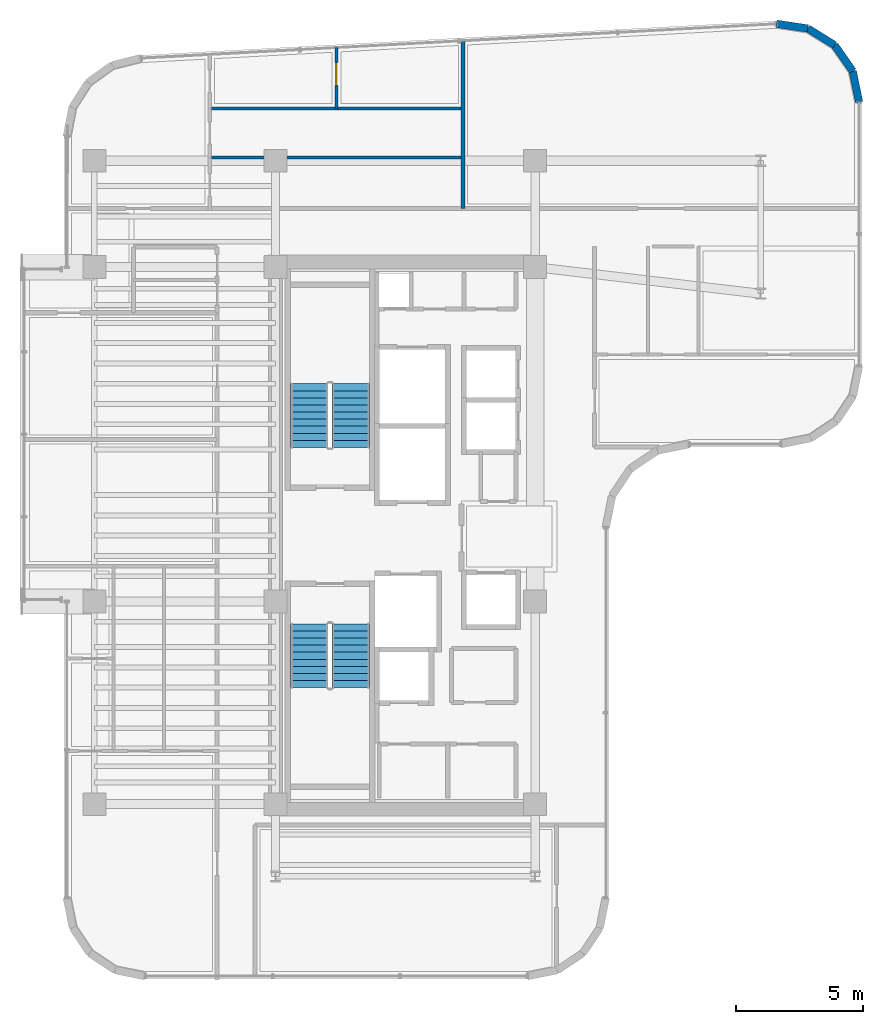
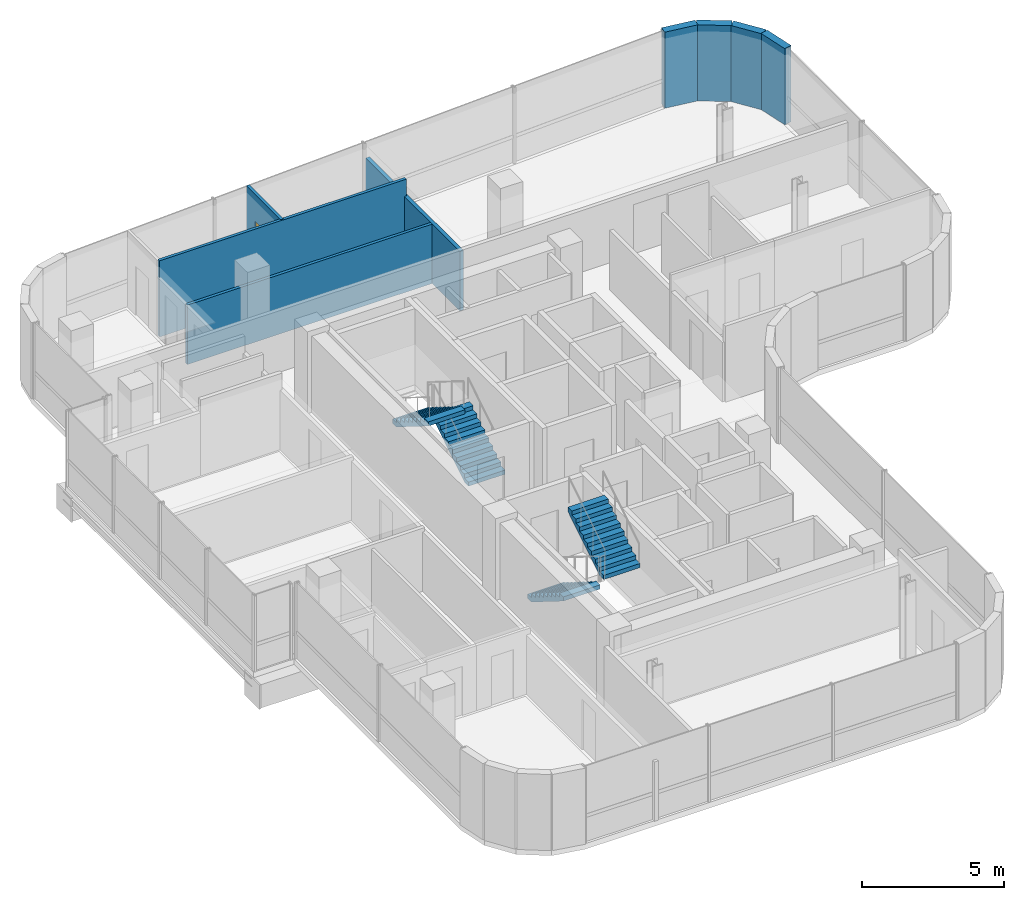
# One storey, part 19 of 22: 8 walls, 4 stair flights, 1 door, 1 opening, 2 elements without a shape of their own.
"""IFC4 building model written with IfcOpenShell, lengths in metres."""

from ifc_helpers import new_model, si_unit, direction, frame, frame_2d, origin, place, context, subcontext, project, spatial, polyline, rectangle, outline, extrude, material, layer, layer_set, type_object, element, fill, aggregate, save


model = new_model("IFC4")

# Units and contexts
model_context = context("Model", 3, precision=1e-05, world=origin(), true_north=direction((0.0, 1.0)))
body_context = subcontext(model_context, "Body", "Model", "MODEL_VIEW")
ifc_project = project(units=[si_unit("LENGTHUNIT", "METRE"), si_unit("AREAUNIT", "SQUARE_METRE"), si_unit("VOLUMEUNIT", "CUBIC_METRE"), si_unit("PLANEANGLEUNIT", "RADIAN"), si_unit("MASSUNIT", "GRAM", prefix="KILO")], contexts=[model_context])

# Site, building, storey
site_placement = place(None, origin())
site = spatial("IfcSite", under=ifc_project, at=site_placement, CompositionType="ELEMENT")
building_placement = place(site_placement, origin())
building = spatial("IfcBuilding", under=site, at=building_placement, Name="Valdorenza Pilgrim Sanctuary Tower", CompositionType="ELEMENT")
storey_placement = place(building_placement, frame((0.0, 0.0, 209.0)))
storey = spatial("IfcBuildingStorey", under=building, at=storey_placement, Name="L53", CompositionType="ELEMENT", Elevation=209.0)

# Walls
ifc_material_1 = material(Name="Honed travertine limestone", Category="masonry")
ifc_layer_1 = layer(ifc_material_1, 0.300048828125, Name="Honed travertine limestone")
ifc_layer_set_1 = layer_set([ifc_layer_1], Name="Honed travertine limestone")
wall_type_1 = type_object("IfcWallType", Name="WAL-EXT-300", PredefinedType="SOLIDWALL", material=ifc_layer_set_1)
wall_1_placement = place(storey_placement, frame((-2.877685546875, 20.20751953125, 0.0), z_axis=(0.0, 0.0, 1.0), x_axis=(0.988902138571, -0.148568369208, 0.0)))
element("IfcWall", 1, at=wall_1_placement, inside=storey, type_object=wall_type_1, Name="L53 Rounded Wind-Corner Stone Pier 7", PredefinedType="SOLIDWALL", context=body_context, shape_type="SweptSolid", body=[
    extrude(rectangle(XDim=1.257080078125, YDim=0.300048828125, at=frame_2d((0.62841796875, 0.0))), origin(), (0.0, 0.0, 1.0), 3.260009765625),
])
wall_2_placement = place(storey_placement, frame((-1.634521484375, 20.020751953125, 0.0), z_axis=(0.0, 0.0, 1.0), x_axis=(0.849646224094, -0.52735310171, 0.0)))
element("IfcWall", 2, at=wall_2_placement, inside=storey, type_object=wall_type_1, Name="L53 Rounded Wind-Corner Stone Pier 8", PredefinedType="SOLIDWALL", context=body_context, shape_type="SweptSolid", body=[
    extrude(rectangle(XDim=1.245361328125, YDim=0.300048828125, at=frame_2d((0.62255859375, 0.0))), origin(), (0.0, 0.0, 1.0), 3.260009765625),
])
wall_3_placement = place(storey_placement, frame((-0.576416015625, 19.364013671875, 0.0), z_axis=(0.0, 0.0, 1.0), x_axis=(0.572304219931, -0.820041389107, 0.0)))
element("IfcWall", 3, at=wall_3_placement, inside=storey, type_object=wall_type_1, Name="L53 Rounded Wind-Corner Stone Pier 9", PredefinedType="SOLIDWALL", context=body_context, shape_type="SweptSolid", body=[
    extrude(rectangle(XDim=1.24560546875, YDim=0.300048828125, at=frame_2d((0.622802734375, 0.0))), origin(), (0.0, 0.0, 1.0), 3.260009765625),
])
wall_4_placement = place(storey_placement, frame((0.136474609375, 18.342529296875, 0.0), z_axis=(0.0, 0.0, 1.0), x_axis=(0.201603599025, -0.979467196419, 0.0)))
element("IfcWall", 4, at=wall_4_placement, inside=storey, type_object=wall_type_1, Name="L53 Rounded Wind-Corner Stone Pier 10", PredefinedType="SOLIDWALL", context=body_context, shape_type="SweptSolid", body=[
    extrude(rectangle(XDim=1.257080078125, YDim=0.300048828125, at=frame_2d((0.62841796875, 0.0))), origin(), (0.0, 0.0, 1.0), 3.260009765625),
])
ifc_material_2 = material(Name="Moisture-resistant gypsum partition", Category="gypsum")
ifc_layer_2 = layer(ifc_material_2, 0.1201171875, Name="Moisture-resistant gypsum partition")
ifc_layer_set_2 = layer_set([ifc_layer_2], Name="Moisture-resistant gypsum partition")
wall_type_2 = type_object("IfcWallType", Name="WAL-INT-120", PredefinedType="PARTITIONING", material=ifc_layer_set_2)
wall_5_placement = place(storey_placement, frame((-25.24560546875, 14.919921875, 0.0), z_axis=(0.0, 0.0, 1.0), x_axis=(1.0, 0.0, 0.0)))
element("IfcWall", 5, at=wall_5_placement, inside=storey, type_object=wall_type_2, Name="L53 North Grand Residence L53-N1 Bath-Kitchen Wall", PredefinedType="PARTITIONING", context=body_context, shape_type="SweptSolid", body=[
    extrude(rectangle(XDim=9.99560546875, YDim=0.1201171875, at=frame_2d((4.997802734375, 0.0))), origin(), (0.0, 0.0, 1.0), 2.5439453125),
])
wall_6_placement = place(storey_placement, frame((-25.24560546875, 16.8701171875, 0.0), z_axis=(0.0, 0.0, 1.0), x_axis=(1.0, 0.0, 0.0)))
element("IfcWall", 6, at=wall_6_placement, inside=storey, type_object=wall_type_2, Name="L53 North Grand Residence L53-N1 Kitchen-Bedroom Wall", PredefinedType="PARTITIONING", context=body_context, shape_type="SweptSolid", body=[
    extrude(rectangle(XDim=9.99560546875, YDim=0.1201171875, at=frame_2d((4.997802734375, 0.0))), origin(), (0.0, 0.0, 1.0), 3.260009765625),
])

# Wall, opening, door
wall_7_placement = place(storey_placement, frame((-20.247802734375, 16.8701171875, 0.0), z_axis=(0.0, 0.0, 1.0), x_axis=(0.0, 1.0, 0.0)))
wall_7 = element("IfcWall", 7, at=wall_7_placement, inside=storey, type_object=wall_type_2, Name="L53 North Grand Residence L53-N1 Bedroom 2 Wall", PredefinedType="PARTITIONING", context=body_context, shape_type="SweptSolid", body=[
    extrude(rectangle(XDim=2.39990234375, YDim=0.1201171875, at=frame_2d((1.199951171875, 0.0))), origin(), (0.0, 0.0, 1.0), 3.260009765625),
])
opening_placement = place(wall_7_placement, frame((0.89990234375, 0.0, 0.0)))
opening = element("IfcOpeningElement", 8, at=opening_placement, cuts=wall_7, Name="Opening DR-RM1", PredefinedType="OPENING", context=body_context, shape_type="SweptSolid", body=[
    extrude(rectangle(XDim=0.89990234375, YDim=2.10009765625, at=frame_2d((0.449951171875, 1.050048828125))), frame((0.0, 0.074951171875, 0.0), z_axis=(0.0, -1.0, 0.0), x_axis=(1.0, 0.0, 0.0)), (0.0, 0.0, 1.0), 0.14990234375),
])
ifc_material_3 = material(Name="Solid-core European oak timber", Category="wood")
door_type = type_object("IfcDoorType", Name="DR-ROOM-900", OperationType="NOTDEFINED", PredefinedType="DOOR", material=ifc_material_3)
door_placement = place(opening_placement, frame((0.89990234375, 0.0, 0.0), z_axis=(0.0, 0.0, 1.0), x_axis=(-1.0, 0.0, 0.0)))
door = element("IfcDoor", 9, at=door_placement, inside=storey, type_object=door_type, Name="L53 North Grand Residence L53-N1 Bedroom 2 Door", OperationType="SINGLE_SWING_LEFT", OverallHeight=2.10009765625, OverallWidth=0.89990234375, PredefinedType="DOOR", context=body_context, shape_type="SweptSolid", body=[
    extrude(rectangle(XDim=0.89990234375, YDim=2.10009765625, at=frame_2d((0.449951171875, 1.050048828125))), frame((0.0, 0.02490234375, 0.0), z_axis=(0.0, -1.0, 0.0), x_axis=(1.0, 0.0, 0.0)), (0.0, 0.0, 1.0), 0.050048828125),
])
fill(opening, door)

# Wall
ifc_material_4 = material(Name="Acoustic twin-stud gypsum partition", Category="gypsum")
ifc_layer_3 = layer(ifc_material_4, 0.14990234375, Name="Acoustic twin-stud gypsum partition")
ifc_layer_set_3 = layer_set([ifc_layer_3], Name="Acoustic twin-stud gypsum partition")
wall_type_3 = type_object("IfcWallType", Name="WAL-UNT-150", PredefinedType="PARTITIONING", material=ifc_layer_set_3)
wall_8_placement = place(storey_placement, frame((-15.25, 12.919921875, 0.0), z_axis=(0.0, 0.0, 1.0), x_axis=(0.0, 1.0, 0.0)))
element("IfcWall", 10, at=wall_8_placement, inside=storey, type_object=wall_type_3, Name="L53 North Residence Split", PredefinedType="PARTITIONING", context=body_context, shape_type="SweptSolid", body=[
    extrude(rectangle(XDim=6.619873046875, YDim=0.14990234375, at=frame_2d((3.31005859375, 0.0))), origin(), (0.0, 0.0, 1.0), 2.5439453125),
])

# Stair, stair flights
ifc_material_5 = material(Name="Concrete C40/50", Category="concrete")
stair_type = type_object("IfcStairType", Name="STR-DOG-CORE", PredefinedType="HALF_TURN_STAIR", material=ifc_material_5)
stair_1_placement = place(storey_placement, origin())
stair_1 = element("IfcStair", 11, at=stair_1_placement, inside=storey, type_object=stair_type, Name="L53 ST-A1", PredefinedType="HALF_TURN_STAIR")
stair_flight_type = type_object("IfcStairFlightType", Name="STF-RC-1400", PredefinedType="STRAIGHT", material=ifc_material_5)
stair_flight_1_placement = place(storey_placement, frame((-19.679931640625, 3.47998046875, 0.0), z_axis=(0.0, 0.0, 1.0), x_axis=(0.0, 1.0, 0.0)))
stair_flight_1 = element("IfcStairFlight", 12, at=stair_flight_1_placement, type_object=stair_flight_type, Name="ST-A1 flight 1", NumberOfRisers=10, NumberOfTreads=9, PredefinedType="STRAIGHT", RiserHeight=0.175, TreadLength=0.28, context=body_context, shape_type="SweptSolid", body=[
    extrude(outline(polyline([(0.0, 0.0), (0.0, 0.175048828125), (0.280029296875, 0.175048828125), (0.280029296875, 0.35009765625), (0.56005859375, 0.35009765625), (0.56005859375, 0.52490234375), (0.840087890625, 0.52490234375), (0.840087890625, 0.699951171875), (1.1201171875, 0.699951171875), (1.1201171875, 0.875), (1.39990234375, 0.875), (1.39990234375, 1.050048828125), (1.679931640625, 1.050048828125), (1.679931640625, 1.22509765625), (1.9599609375, 1.22509765625), (1.9599609375, 1.39990234375), (2.239990234375, 1.39990234375), (2.239990234375, 1.574951171875), (2.52001953125, 1.574951171875), (2.52001953125, 1.75), (2.52001953125, 1.398193359375), (0.28271484375, 0.0), (0.0, 0.0)])), frame((0.0, 0.739990234375, 0.0), z_axis=(0.0, -1.0, 0.0), x_axis=(1.0, 0.0, 0.0)), (0.0, 0.0, 1.0), 1.47998046875),
])
stair_flight_2_placement = place(storey_placement, frame((-21.31005859375, 6.0, 1.75), z_axis=(0.0, 0.0, 1.0), x_axis=(0.0, -1.0, 0.0)))
stair_flight_2 = element("IfcStairFlight", 13, at=stair_flight_2_placement, type_object=stair_flight_type, Name="ST-A1 flight 2", NumberOfRisers=10, NumberOfTreads=9, PredefinedType="STRAIGHT", RiserHeight=0.175, TreadLength=0.28, context=body_context, shape_type="SweptSolid", body=[
    extrude(outline(polyline([(0.0, 0.0), (0.0, 0.175048828125), (0.280029296875, 0.175048828125), (0.280029296875, 0.35009765625), (0.56005859375, 0.35009765625), (0.56005859375, 0.52490234375), (0.840087890625, 0.52490234375), (0.840087890625, 0.699951171875), (1.1201171875, 0.699951171875), (1.1201171875, 0.875), (1.39990234375, 0.875), (1.39990234375, 1.050048828125), (1.679931640625, 1.050048828125), (1.679931640625, 1.22509765625), (1.9599609375, 1.22509765625), (1.9599609375, 1.39990234375), (2.239990234375, 1.39990234375), (2.239990234375, 1.574951171875), (2.52001953125, 1.574951171875), (2.52001953125, 1.75), (2.52001953125, 1.398193359375), (0.28271484375, 0.0), (0.0, 0.0)])), frame((0.0, 0.739990234375, 0.0), z_axis=(0.0, -1.0, 0.0), x_axis=(1.0, 0.0, 0.0)), (0.0, 0.0, 1.0), 1.47998046875),
])
aggregate(stair_1, [stair_flight_1, stair_flight_2])

stair_2_placement = place(storey_placement, origin())
stair_2 = element("IfcStair", 14, at=stair_2_placement, inside=storey, type_object=stair_type, Name="L53 ST-A2", PredefinedType="HALF_TURN_STAIR")
stair_flight_3_placement = place(storey_placement, frame((-21.31005859375, -3.47998046875, 0.0), z_axis=(0.0, 0.0, 1.0), x_axis=(0.0, -1.0, 0.0)))
stair_flight_3 = element("IfcStairFlight", 15, at=stair_flight_3_placement, type_object=stair_flight_type, Name="ST-A2 flight 1", NumberOfRisers=10, NumberOfTreads=9, PredefinedType="STRAIGHT", RiserHeight=0.175, TreadLength=0.28, context=body_context, shape_type="SweptSolid", body=[
    extrude(outline(polyline([(0.0, 0.0), (0.0, 0.175048828125), (0.280029296875, 0.175048828125), (0.280029296875, 0.35009765625), (0.56005859375, 0.35009765625), (0.56005859375, 0.52490234375), (0.840087890625, 0.52490234375), (0.840087890625, 0.699951171875), (1.1201171875, 0.699951171875), (1.1201171875, 0.875), (1.39990234375, 0.875), (1.39990234375, 1.050048828125), (1.679931640625, 1.050048828125), (1.679931640625, 1.22509765625), (1.9599609375, 1.22509765625), (1.9599609375, 1.39990234375), (2.239990234375, 1.39990234375), (2.239990234375, 1.574951171875), (2.52001953125, 1.574951171875), (2.52001953125, 1.75), (2.52001953125, 1.398193359375), (0.28271484375, 0.0), (0.0, 0.0)])), frame((0.0, 0.739990234375, 0.0), z_axis=(0.0, -1.0, 0.0), x_axis=(1.0, 0.0, 0.0)), (0.0, 0.0, 1.0), 1.47998046875),
])
stair_flight_4_placement = place(storey_placement, frame((-19.679931640625, -6.0, 1.75), z_axis=(0.0, 0.0, 1.0), x_axis=(0.0, 1.0, 0.0)))
stair_flight_4 = element("IfcStairFlight", 16, at=stair_flight_4_placement, type_object=stair_flight_type, Name="ST-A2 flight 2", NumberOfRisers=10, NumberOfTreads=9, PredefinedType="STRAIGHT", RiserHeight=0.175, TreadLength=0.28, context=body_context, shape_type="SweptSolid", body=[
    extrude(outline(polyline([(0.0, 0.0), (0.0, 0.175048828125), (0.280029296875, 0.175048828125), (0.280029296875, 0.35009765625), (0.56005859375, 0.35009765625), (0.56005859375, 0.52490234375), (0.840087890625, 0.52490234375), (0.840087890625, 0.699951171875), (1.1201171875, 0.699951171875), (1.1201171875, 0.875), (1.39990234375, 0.875), (1.39990234375, 1.050048828125), (1.679931640625, 1.050048828125), (1.679931640625, 1.22509765625), (1.9599609375, 1.22509765625), (1.9599609375, 1.39990234375), (2.239990234375, 1.39990234375), (2.239990234375, 1.574951171875), (2.52001953125, 1.574951171875), (2.52001953125, 1.75), (2.52001953125, 1.398193359375), (0.28271484375, 0.0), (0.0, 0.0)])), frame((0.0, 0.739990234375, 0.0), z_axis=(0.0, -1.0, 0.0), x_axis=(1.0, 0.0, 0.0)), (0.0, 0.0, 1.0), 1.47998046875),
])
aggregate(stair_2, [stair_flight_3, stair_flight_4])

save(model, "model.ifc")
